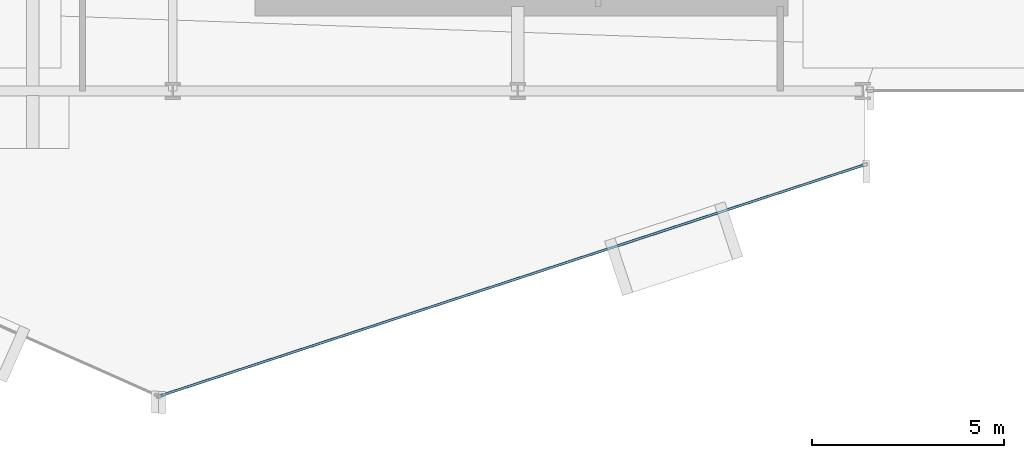
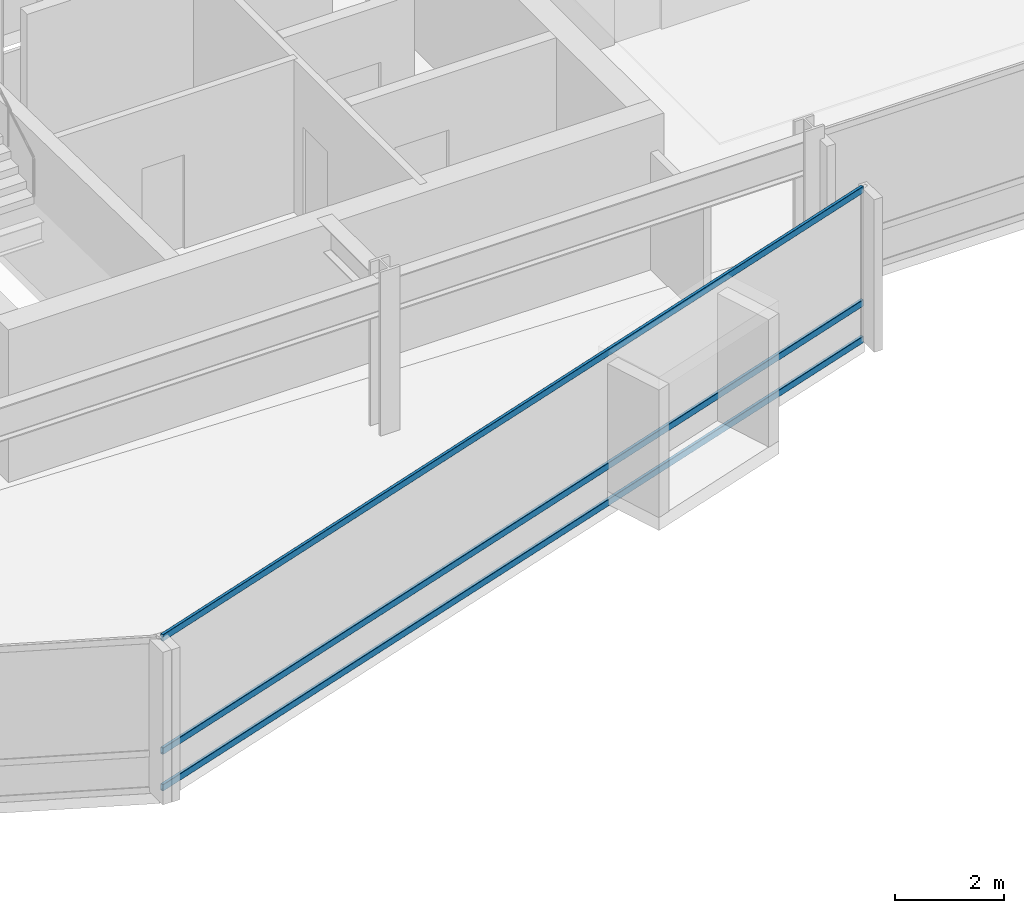
# One storey, part 9 of 28: 3 members, 1 element without a shape of its own.
"""IFC4 building model written with IfcOpenShell, lengths in metres."""

import ifcopenshell
import ifcopenshell.guid

model = None  # the IFC model being written
_history = None  # IfcOwnerHistory: only IFC2X3 demands one
_inside = {}  # id of a spatial element -> (the spatial element, [elements in it])
_under = {}  # id of a project, library or spatial element -> (it, [spatial elements below it])
_declared = {}  # id of a project -> (the project, [libraries it declares])
_typed = {}  # id of a type object -> (the type object, [elements of that type])
_made_of = {}  # id of a material, layer set ... -> (it, [elements and type objects made of it])


def new_model(schema):
    """Start an empty IFC model of exactly this schema.

    Asked for "IFC4X3", IfcOpenShell would pick the latest addendum, in which some entities
    have other attributes; the version numbers below select the first issue.
    IFC2X3 requires an IfcOwnerHistory on every rooted entity: one is made here for all.
    """
    global model, _history
    if schema == "IFC4X3":
        model = ifcopenshell.file(schema_version=(4, 3, 0, 0))
    else:
        model = ifcopenshell.file(schema=schema)
    _inside.clear()
    _under.clear()
    _declared.clear()
    _typed.clear()
    _made_of.clear()
    _history = None
    if model.schema == "IFC2X3":
        org = make("IfcOrganization", Name="unknown")
        user = make(
            "IfcPersonAndOrganization",
            ThePerson=make("IfcPerson", FamilyName="unknown"),
            TheOrganization=org,
        )
        app = make(
            "IfcApplication",
            ApplicationDeveloper=org,
            Version="unknown",
            ApplicationFullName="unknown",
            ApplicationIdentifier="unknown",
        )
        _history = make(
            "IfcOwnerHistory",
            OwningUser=user,
            OwningApplication=app,
            ChangeAction="ADDED",
            CreationDate=0,
        )
    return model


def make(cls, **values):
    """One entity of the class cls with the attributes given. An attribute that is None is left unset."""
    return model.create_entity(
        cls, **{name: value for name, value in values.items() if value is not None}
    )


def rooted(cls, **values):
    """An entity with a GlobalId (a new one), such as an element, a storey or a relation."""
    return make(cls, GlobalId=ifcopenshell.guid.new(), OwnerHistory=_history, **values)


def si_unit(unit_type, name, prefix=None):
    """IfcSIUnit, for example si_unit("LENGTHUNIT", "METRE", prefix="MILLI")."""
    return make("IfcSIUnit", UnitType=unit_type, Prefix=prefix, Name=name)


def assignment(units):
    """IfcUnitAssignment: the units of a project."""
    return None if units is None else make("IfcUnitAssignment", Units=units)


def point(xyz):
    """IfcCartesianPoint."""
    return None if xyz is None else make("IfcCartesianPoint", Coordinates=xyz)


def direction(xyz):
    """IfcDirection."""
    return None if xyz is None else make("IfcDirection", DirectionRatios=xyz)


def frame(location, z_axis=None, x_axis=None):
    """IfcAxis2Placement3D, a coordinate frame: its origin and axes. An axis left out is left unset."""
    return make(
        "IfcAxis2Placement3D",
        Location=point(location),
        Axis=direction(z_axis),
        RefDirection=direction(x_axis),
    )


def frame_2d(location, x_axis=None):
    """IfcAxis2Placement2D, a coordinate frame in the plane: its origin and x axis."""
    return make(
        "IfcAxis2Placement2D", Location=point(location), RefDirection=direction(x_axis)
    )


def origin():
    """The frame at (0, 0, 0) with its axes left unset."""
    return frame((0.0, 0.0, 0.0))


def origin_2d():
    """The frame at (0, 0) in the plane with its x axis left unset."""
    return frame_2d((0.0, 0.0))


def place(relative_to, where):
    """IfcLocalPlacement: puts the frame where relative to a parent placement (None: the world)."""
    return make(
        "IfcLocalPlacement", PlacementRelTo=relative_to, RelativePlacement=where
    )


def context(
    kind, dimensions, precision=None, world=None, true_north=None, identifier=None
):
    """IfcGeometricRepresentationContext, for example the 3D "Model" context."""
    return make(
        "IfcGeometricRepresentationContext",
        ContextIdentifier=identifier,
        ContextType=kind,
        CoordinateSpaceDimension=dimensions,
        Precision=precision,
        WorldCoordinateSystem=world,
        TrueNorth=true_north,
    )


def subcontext(parent, identifier, kind, view, scale=None):
    """IfcGeometricRepresentationSubContext, for example "Body" below "Model"."""
    return make(
        "IfcGeometricRepresentationSubContext",
        ContextIdentifier=identifier,
        ContextType=kind,
        ParentContext=parent,
        TargetScale=scale,
        TargetView=view,
    )


def project(units=None, contexts=None):
    """IfcProject with its units and contexts."""
    return rooted(
        "IfcProject",
        Name="project",
        RepresentationContexts=contexts,
        UnitsInContext=assignment(units),
    )


def spatial(cls, under=None, at=None, **own):
    """A site, building, storey or space (cls), placed at a placement, below another one or the project."""
    s = rooted(cls, ObjectPlacement=at, **own)
    if under is not None:
        _under.setdefault(under.id(), (under, []))[1].append(s)
    return s


def profile(cls, at=None, kind="AREA", **sizes):
    """A parametric profile (cls). Its sizes go by their IFC names, for example OverallWidth=200.0."""
    return make(cls, ProfileType=kind, Position=at, **sizes)


def hollow_rectangle(**sizes):
    """IfcRectangleHollowProfileDef."""
    return profile("IfcRectangleHollowProfileDef", **sizes)


def extrude(swept, where, along, depth):
    """IfcExtrudedAreaSolid: the profile swept, set in the frame where, extruded along a direction by depth."""
    return make(
        "IfcExtrudedAreaSolid",
        SweptArea=swept,
        Position=where,
        ExtrudedDirection=direction(along),
        Depth=depth,
    )


def shape(context_of_items, identifier, shape_type, items):
    """IfcShapeRepresentation: the items that make up one representation, for example the "Body"."""
    return make(
        "IfcShapeRepresentation",
        ContextOfItems=context_of_items,
        RepresentationIdentifier=identifier,
        RepresentationType=shape_type,
        Items=items,
    )


def material(Name=None, Category=None):
    """IfcMaterial."""
    return make("IfcMaterial", Name=Name, Category=Category)


def layer(
    of_material, thickness, ventilated=None, Name=None, Category=None, Priority=None
):
    """IfcMaterialLayer: one layer of a wall or slab, of a material (None: an air gap)."""
    return make(
        "IfcMaterialLayer",
        Material=of_material,
        LayerThickness=thickness,
        IsVentilated=ventilated,
        Name=Name,
        Category=Category,
        Priority=Priority,
    )


def layer_set(layers, Name=None):
    """IfcMaterialLayerSet."""
    return make("IfcMaterialLayerSet", MaterialLayers=layers, LayerSetName=Name)


def material_profile(
    of_material, cross_section, Name=None, Category=None, Priority=None
):
    """IfcMaterialProfile: a cross section and its material."""
    return make(
        "IfcMaterialProfile",
        Name=Name,
        Material=of_material,
        Profile=cross_section,
        Priority=Priority,
        Category=Category,
    )


def profile_set(profiles, Name=None, composite=None):
    """IfcMaterialProfileSet."""
    return make(
        "IfcMaterialProfileSet",
        Name=Name,
        MaterialProfiles=profiles,
        CompositeProfile=composite,
    )


def made_of(thing, what):
    """Note that an element or type object is made of a material, layer set ...; save() writes the relation."""
    if what is not None:
        _made_of.setdefault(what.id(), (what, []))[1].append(thing)
    return thing


def type_object(cls, material=None, **own):
    """A type object (cls), such as IfcWallType, which elements share."""
    return made_of(rooted(cls, **own), material)


def element(
    cls,
    number,
    at=None,
    inside=None,
    cuts=None,
    type_object=None,
    material=None,
    context=None,
    identifier="Body",
    shape_type=None,
    held_by="IfcProductDefinitionShape",
    body=None,
    shapes=None,
    **own,
):
    """One element of the class cls, such as IfcWall. Its Tag is "e" and its number.

    at: its placement. inside: the storey or other place that contains it. cuts: it is an
    opening in that element (IfcRelVoidsElement). A single representation is given by context,
    identifier, shape_type and body (its items); several are given by shapes. held_by: the class
    of the entity that holds the representations. save() writes the other relations.
    """
    e = rooted(cls, Tag="e%d" % number, ObjectPlacement=at, **own)
    if body is not None:
        shapes = [shape(context, identifier, shape_type, body)]
    if shapes is not None:
        e.Representation = make(held_by, Representations=shapes)
    if inside is not None:
        _inside.setdefault(inside.id(), (inside, []))[1].append(e)
    if cuts is not None:
        rooted(
            "IfcRelVoidsElement", RelatingBuildingElement=cuts, RelatedOpeningElement=e
        )
    if type_object is not None:
        _typed.setdefault(type_object.id(), (type_object, []))[1].append(e)
    return made_of(e, material)


def aggregate(whole, parts):
    """IfcRelAggregates: a whole, such as a stair, and the parts it consists of."""
    return rooted("IfcRelAggregates", RelatingObject=whole, RelatedObjects=parts)


def save(model, path):
    """Write the relations noted so far, then the file.

    IfcRelAggregates (storeys below a building ...), IfcRelContainedInSpatialStructure (elements
    in a storey), IfcRelDefinesByType, IfcRelAssociatesMaterial and IfcRelDeclares: one each for
    every whole, place, type object, material and project.
    """
    for whole, parts in _under.values():
        aggregate(whole, parts)
    for where, things in _inside.values():
        rooted(
            "IfcRelContainedInSpatialStructure",
            RelatedElements=things,
            RelatingStructure=where,
        )
    for kind, things in _typed.values():
        rooted("IfcRelDefinesByType", RelatedObjects=things, RelatingType=kind)
    for what, things in _made_of.values():
        rooted("IfcRelAssociatesMaterial", RelatedObjects=things, RelatingMaterial=what)
    for by, libraries in _declared.values():
        rooted("IfcRelDeclares", RelatingContext=by, RelatedDefinitions=libraries)
    model.write(path)


model = new_model("IFC4")

# Units and contexts
model_context = context("Model", 3, precision=1e-05, world=origin(), true_north=direction((0.0, 1.0)))
body_context = subcontext(model_context, "Body", "Model", "MODEL_VIEW")
ifc_project = project(units=[si_unit("LENGTHUNIT", "METRE"), si_unit("AREAUNIT", "SQUARE_METRE"), si_unit("VOLUMEUNIT", "CUBIC_METRE"), si_unit("PLANEANGLEUNIT", "RADIAN"), si_unit("MASSUNIT", "GRAM", prefix="KILO")], contexts=[model_context])

# Site, building, storey
site_placement = place(None, origin())
site = spatial("IfcSite", under=ifc_project, at=site_placement, CompositionType="ELEMENT")
building_placement = place(site_placement, origin())
building = spatial("IfcBuilding", under=site, at=building_placement, Name="Solvaryn Broadcast Tower", CompositionType="ELEMENT")
storey_placement = place(building_placement, frame((0.0, 0.0, 158.10009765625)))
storey = spatial("IfcBuildingStorey", under=building, at=storey_placement, Name="L39", CompositionType="ELEMENT", Elevation=158.10009765625)

# Curtain wall, members
ifc_material_1 = material(Name="Aluminium and Terracotta Unitised Curtain Wall", Category="masonry")
ifc_layer = layer(ifc_material_1, 0.199951171875)
ifc_layer_set = layer_set([ifc_layer], Name="CW-SYS2-LOWMID")
curtain_wall_type = type_object("IfcCurtainWallType", Name="CW-SYS2-LOWMID", PredefinedType="NOTDEFINED", material=ifc_layer_set)
curtain_wall_placement = place(storey_placement, origin())
curtain_wall = element("IfcCurtainWall", 1, at=curtain_wall_placement, inside=storey, type_object=curtain_wall_type, Name="L39 Curtain Wall DR4", PredefinedType="NOTDEFINED")
ifc_material_2 = material(Name="Anodised Aluminium 6063-T6", Category="aluminium")
ifc_material_profile = material_profile(ifc_material_2, hollow_rectangle(XDim=0.06494140625, YDim=0.14990234375, WallThickness=0.00390625, InnerFilletRadius=0.00390625, OuterFilletRadius=0.008056640625, at=origin_2d()))
ifc_profile_set = profile_set([ifc_material_profile], Name="Anodised Aluminium 6063-T6")
member_type = type_object("IfcMemberType", Name="CW-TRN-150", PredefinedType="USERDEFINED", material=ifc_profile_set)
member_1_placement = place(storey_placement, frame((26.693115234375, 1.052734375, 0.02978515625), z_axis=(0.950198373323, 0.31164571445, 0.0), x_axis=(-0.31164571445, 0.950198373323, 0.0)))
member_1 = element("IfcMember", 2, at=member_1_placement, type_object=member_type, Name="CWS2 transom 1.1", ObjectType="TRANSOM", PredefinedType="USERDEFINED", context=body_context, shape_type="SweptSolid", body=[
    extrude(hollow_rectangle(XDim=0.06494140625, YDim=0.14990234375, WallThickness=0.00390625, InnerFilletRadius=0.00390625, OuterFilletRadius=0.008056640625, at=origin_2d()), origin(), (0.0, 0.0, 1.0), 19.27685546875),
])
member_2_placement = place(storey_placement, frame((26.693115234375, 1.052734375, 0.849853515625), z_axis=(0.950198373323, 0.31164571445, 0.0), x_axis=(-0.31164571445, 0.950198373323, 0.0)))
member_2 = element("IfcMember", 3, at=member_2_placement, type_object=member_type, Name="CWS2 transom 1.2", ObjectType="TRANSOM", PredefinedType="USERDEFINED", context=body_context, shape_type="SweptSolid", body=[
    extrude(hollow_rectangle(XDim=0.06494140625, YDim=0.14990234375, WallThickness=0.00390625, InnerFilletRadius=0.00390625, OuterFilletRadius=0.008056640625, at=origin_2d()), origin(), (0.0, 0.0, 1.0), 19.27685546875),
])
member_3_placement = place(storey_placement, frame((26.693115234375, 1.052734375, 3.389892578125), z_axis=(0.950198373323, 0.31164571445, 0.0), x_axis=(-0.31164571445, 0.950198373323, 0.0)))
member_3 = element("IfcMember", 4, at=member_3_placement, type_object=member_type, Name="CWS2 transom 1.3", ObjectType="TRANSOM", PredefinedType="USERDEFINED", context=body_context, shape_type="SweptSolid", body=[
    extrude(hollow_rectangle(XDim=0.06494140625, YDim=0.14990234375, WallThickness=0.00390625, InnerFilletRadius=0.00390625, OuterFilletRadius=0.008056640625, at=origin_2d()), origin(), (0.0, 0.0, 1.0), 19.27685546875),
])
aggregate(curtain_wall, [member_1, member_2, member_3])

save(model, "model.ifc")
